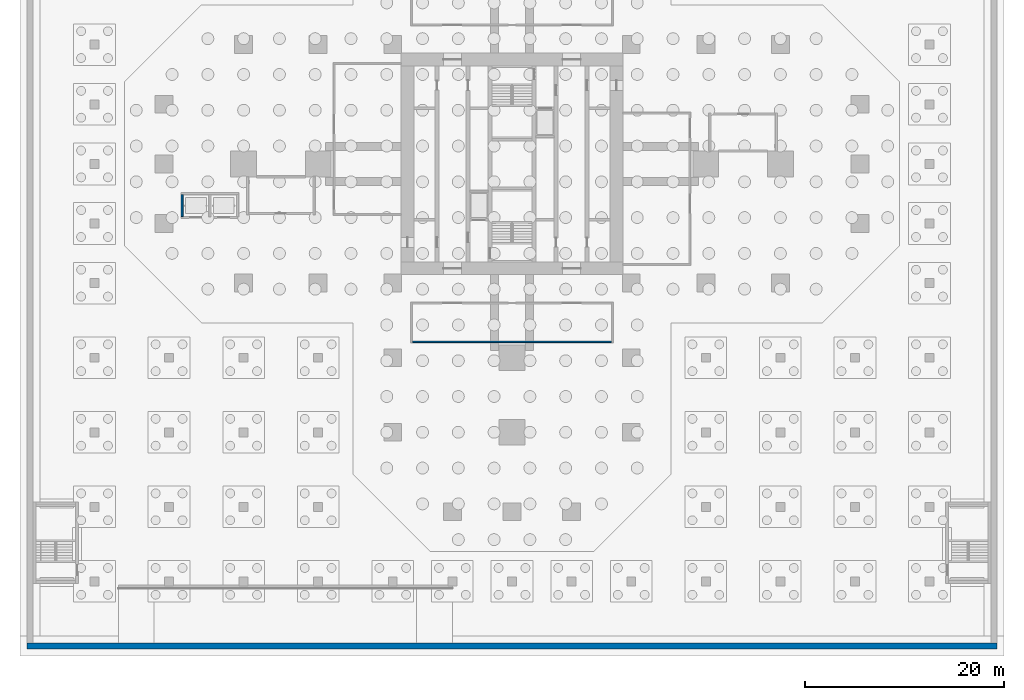
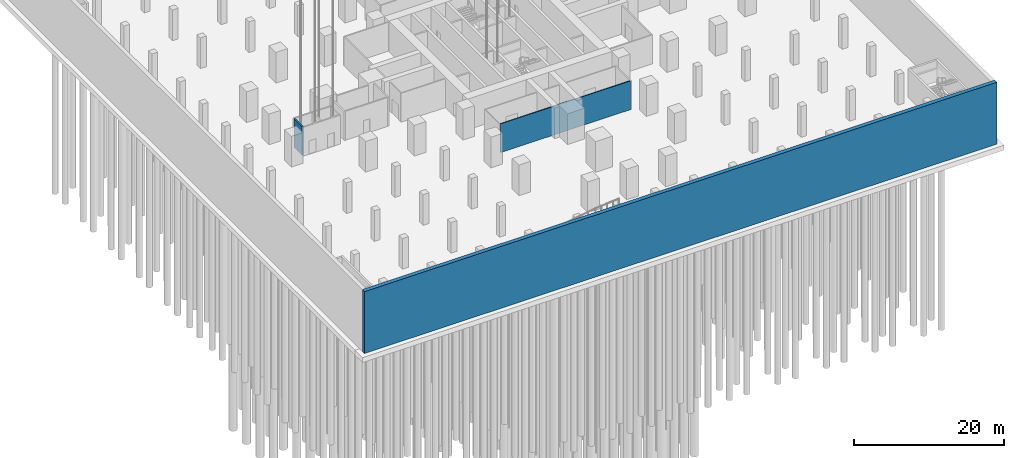
# One storey, part 6 of 31: 3 walls.
"""IFC4 building model written with IfcOpenShell, lengths in metres."""

from ifc_helpers import new_model, si_unit, direction, frame, frame_2d, origin, place, context, subcontext, project, spatial, rectangle, extrude, material, layer, layer_set, type_object, element, save


model = new_model("IFC4")

# Units and contexts
model_context = context("Model", 3, precision=1e-05, world=origin(), true_north=direction((0.0, 1.0)))
body_context = subcontext(model_context, "Body", "Model", "MODEL_VIEW")
ifc_project = project(units=[si_unit("LENGTHUNIT", "METRE"), si_unit("AREAUNIT", "SQUARE_METRE"), si_unit("VOLUMEUNIT", "CUBIC_METRE"), si_unit("PLANEANGLEUNIT", "RADIAN"), si_unit("MASSUNIT", "GRAM", prefix="KILO")], contexts=[model_context])

# Site, building, storey
site_placement = place(None, origin())
site = spatial("IfcSite", under=ifc_project, at=site_placement, CompositionType="ELEMENT")
building_placement = place(site_placement, origin())
building = spatial("IfcBuilding", under=site, at=building_placement, Name="Mizan Broadcast Tower", CompositionType="ELEMENT")
storey_placement = place(building_placement, frame((0.0, 0.0, -10.0)))
storey = spatial("IfcBuildingStorey", under=building, at=storey_placement, Name="B2", CompositionType="ELEMENT", Elevation=-10.0)

# Walls
ifc_material_1 = material(Name="Concrete blockwork", Category="masonry")
ifc_layer_1 = layer(ifc_material_1, 0.199951171875)
ifc_layer_set_1 = layer_set([ifc_layer_1], Name="Concrete blockwork")
wall_type_1 = type_object("IfcWallType", Name="LIFT SHAFT WALL 200", PredefinedType="SOLIDWALL", material=ifc_layer_set_1)
wall_1_placement = place(storey_placement, frame((-33.199951171875, -3.10009765625, 0.0), z_axis=(0.0, 0.0, 1.0), x_axis=(0.0, -1.0, 0.0)))
element("IfcWall", 1, at=wall_1_placement, inside=storey, type_object=wall_type_1, Name="Lift shaft wall PLS/U2", PredefinedType="SOLIDWALL", context=body_context, shape_type="SweptSolid", body=[
    extrude(rectangle(XDim=2.199951171875, YDim=0.199951171875, at=frame_2d((1.10009765625, 0.0))), origin(), (0.0, 0.0, 1.0), 4.699951171875),
])
ifc_material_2 = material(Name="Concrete blockwork", Category="masonry")
ifc_layer_2 = layer(ifc_material_2, 0.14990234375)
ifc_layer_set_2 = layer_set([ifc_layer_2], Name="Concrete blockwork")
wall_type_2 = type_object("IfcWallType", Name="PLANT ROOM ENCLOSURE WALL 150", PredefinedType="SOLIDWALL", material=ifc_layer_set_2)
wall_2_placement = place(storey_placement, frame((-10.02490234375, -17.89990234375, 0.0), z_axis=(0.0, 0.0, 1.0), x_axis=(1.0, 0.0, 0.0)))
element("IfcWall", 2, at=wall_2_placement, inside=storey, type_object=wall_type_2, Name="Plant room wall PT/SX", PredefinedType="SOLIDWALL", context=body_context, shape_type="SweptSolid", body=[
    extrude(rectangle(XDim=20.0498046875, YDim=0.14990234375, at=frame_2d((10.02490234375, 0.0))), origin(), (0.0, 0.0, 1.0), 4.699951171875),
])
ifc_material_3 = material(Name="Concrete C70/85", Category="concrete")
ifc_layer_3 = layer(ifc_material_3, 0.60009765625)
ifc_layer_set_3 = layer_set([ifc_layer_3], Name="Concrete C70/85")
wall_type_3 = type_object("IfcWallType", Name="RETAINING WALL 600", PredefinedType="SOLIDWALL", material=ifc_layer_set_3)
wall_3_placement = place(storey_placement, frame((48.800048828125, -48.5, -0.5), z_axis=(0.0, 0.0, 1.0), x_axis=(-1.0, 0.0, 0.0)))
element("IfcWall", 3, at=wall_3_placement, inside=storey, type_object=wall_type_3, Name="Retaining wall RW1 S", PredefinedType="SOLIDWALL", context=body_context, shape_type="SweptSolid", body=[
    extrude(rectangle(XDim=97.60009765625, YDim=0.60009765625, at=frame_2d((48.800048828125, 0.0))), origin(), (0.0, 0.0, 1.0), 10.10009765625),
])

save(model, "model.ifc")
